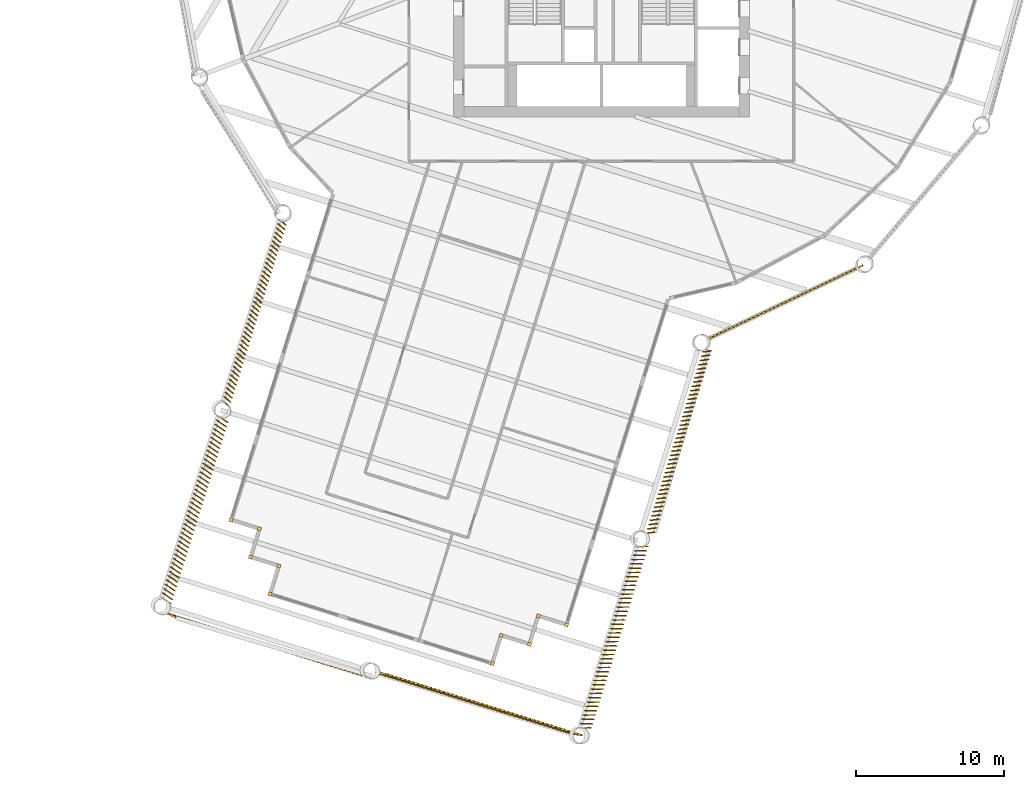
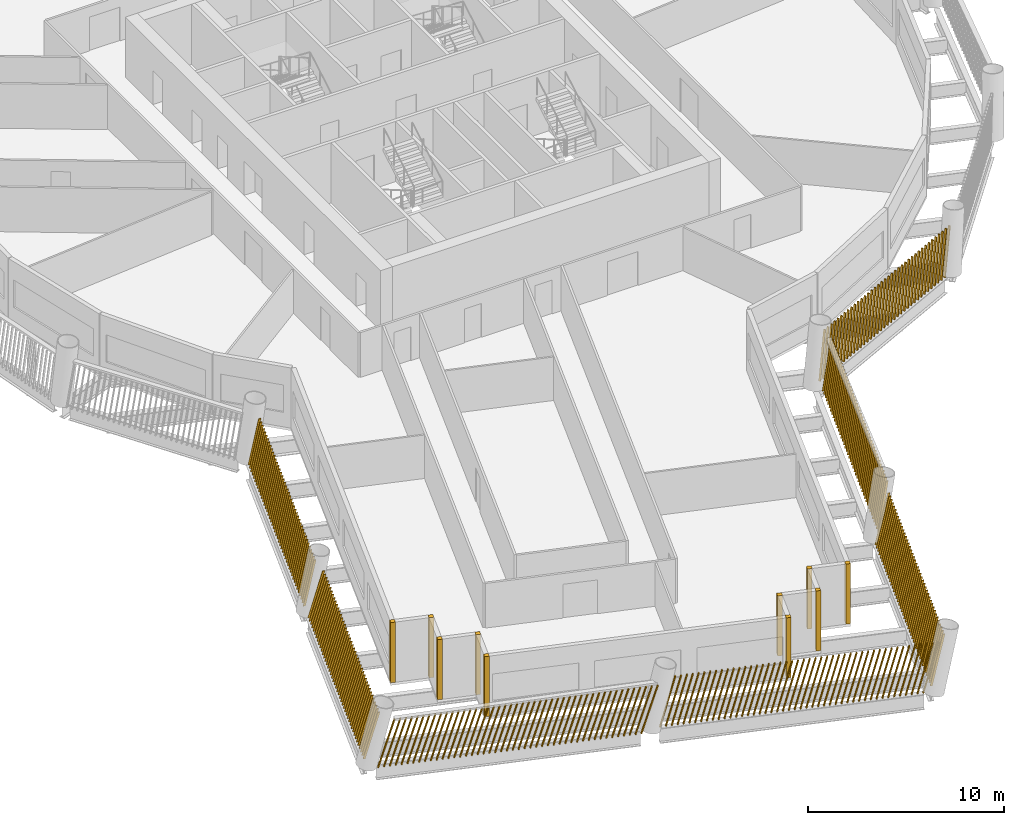
# One storey, part 11 of 15: 17 shading devices.
"""IFC4 building model written with IfcOpenShell, lengths in metres."""

from ifc_helpers import new_model, si_unit, direction, frame, frame_2d, origin, origin_2d, place, context, subcontext, project, spatial, rectangle, composite_profile, extrude, material, type_object, element, save


model = new_model("IFC4")

# Units and contexts
model_context = context("Model", 3, precision=1e-05, world=origin(), true_north=direction((0.0, 1.0)))
body_context = subcontext(model_context, "Body", "Model", "MODEL_VIEW")
ifc_project = project(units=[si_unit("LENGTHUNIT", "METRE"), si_unit("AREAUNIT", "SQUARE_METRE"), si_unit("VOLUMEUNIT", "CUBIC_METRE"), si_unit("PLANEANGLEUNIT", "RADIAN"), si_unit("MASSUNIT", "GRAM", prefix="KILO")], contexts=[model_context])

# Site, building, storey
site_placement = place(None, origin())
site = spatial("IfcSite", under=ifc_project, at=site_placement, CompositionType="ELEMENT")
building_placement = place(site_placement, origin())
building = spatial("IfcBuilding", under=site, at=building_placement, Name="Tarsis Ring Headquarters", CompositionType="ELEMENT")
storey_placement = place(building_placement, frame((0.0, 0.0, 151.5)))
storey = spatial("IfcBuildingStorey", under=building, at=storey_placement, Name="L34", CompositionType="ELEMENT", Elevation=151.5)

# Shading devices
ifc_material = material(Name="Terracotta baguette", Category="masonry")
shading_device_type_1 = type_object("IfcShadingDeviceType", Name="Terracotta baguette screen", PredefinedType="USERDEFINED", material=ifc_material)
shading_device_1_placement = place(storey_placement, frame((-21.733154296875, -19.918212890625, 0.0), z_axis=(0.0, 0.0, 1.0), x_axis=(-0.298370768445, -0.954453422143, 0.0)))
element("IfcShadingDevice", 1, at=shading_device_1_placement, inside=storey, type_object=shading_device_type_1, Name="Baguette screen L34-01", ObjectType="Terracotta baguette screen", PredefinedType="USERDEFINED", context=body_context, shape_type="SweptSolid", body=[
    extrude(composite_profile([rectangle(XDim=0.06005859375, YDim=0.1201171875, at=frame_2d((0.030029296875, 0.0))), rectangle(XDim=0.06005859375, YDim=0.1201171875, at=frame_2d((0.335693359375, 0.0))), rectangle(XDim=0.06005859375, YDim=0.1201171875, at=frame_2d((0.6416015625, 0.0))), rectangle(XDim=0.06005859375, YDim=0.1201171875, at=frame_2d((0.947265625, 0.0))), rectangle(XDim=0.06005859375, YDim=0.1201171875, at=frame_2d((1.253173828125, 0.0))), rectangle(XDim=0.06005859375, YDim=0.1201171875, at=frame_2d((1.558837890625, 0.0))), rectangle(XDim=0.06005859375, YDim=0.1201171875, at=frame_2d((1.864501953125, 0.0))), rectangle(XDim=0.06005859375, YDim=0.1201171875, at=frame_2d((2.17041015625, 0.0))), rectangle(XDim=0.06005859375, YDim=0.1201171875, at=frame_2d((2.47607421875, 0.0))), rectangle(XDim=0.06005859375, YDim=0.1201171875, at=frame_2d((2.781982421875, 0.0))), rectangle(XDim=0.06005859375, YDim=0.1201171875, at=frame_2d((3.087646484375, 0.0))), rectangle(XDim=0.06005859375, YDim=0.1201171875, at=frame_2d((3.393310546875, 0.0))), rectangle(XDim=0.06005859375, YDim=0.1201171875, at=frame_2d((3.69921875, 0.0))), rectangle(XDim=0.06005859375, YDim=0.1201171875, at=frame_2d((4.0048828125, 0.0))), rectangle(XDim=0.06005859375, YDim=0.1201171875, at=frame_2d((4.310791015625, 0.0))), rectangle(XDim=0.06005859375, YDim=0.1201171875, at=frame_2d((4.616455078125, 0.0))), rectangle(XDim=0.06005859375, YDim=0.1201171875, at=frame_2d((4.922119140625, 0.0))), rectangle(XDim=0.06005859375, YDim=0.1201171875, at=frame_2d((5.22802734375, 0.0))), rectangle(XDim=0.06005859375, YDim=0.1201171875, at=frame_2d((5.53369140625, 0.0))), rectangle(XDim=0.06005859375, YDim=0.1201171875, at=frame_2d((5.839599609375, 0.0))), rectangle(XDim=0.06005859375, YDim=0.1201171875, at=frame_2d((6.145263671875, 0.0))), rectangle(XDim=0.06005859375, YDim=0.1201171875, at=frame_2d((6.451171875, 0.0))), rectangle(XDim=0.06005859375, YDim=0.1201171875, at=frame_2d((6.7568359375, 0.0))), rectangle(XDim=0.06005859375, YDim=0.1201171875, at=frame_2d((7.0625, 0.0))), rectangle(XDim=0.06005859375, YDim=0.1201171875, at=frame_2d((7.368408203125, 0.0))), rectangle(XDim=0.06005859375, YDim=0.1201171875, at=frame_2d((7.674072265625, 0.0))), rectangle(XDim=0.06005859375, YDim=0.1201171875, at=frame_2d((7.97998046875, 0.0))), rectangle(XDim=0.06005859375, YDim=0.1201171875, at=frame_2d((8.28564453125, 0.0))), rectangle(XDim=0.06005859375, YDim=0.1201171875, at=frame_2d((8.59130859375, 0.0))), rectangle(XDim=0.06005859375, YDim=0.1201171875, at=frame_2d((8.897216796875, 0.0))), rectangle(XDim=0.06005859375, YDim=0.1201171875, at=frame_2d((9.202880859375, 0.0))), rectangle(XDim=0.06005859375, YDim=0.1201171875, at=frame_2d((9.5087890625, 0.0))), rectangle(XDim=0.06005859375, YDim=0.1201171875, at=frame_2d((9.814453125, 0.0))), rectangle(XDim=0.06005859375, YDim=0.1201171875, at=frame_2d((10.1201171875, 0.0))), rectangle(XDim=0.06005859375, YDim=0.1201171875, at=frame_2d((10.426025390625, 0.0))), rectangle(XDim=0.06005859375, YDim=0.1201171875, at=frame_2d((10.731689453125, 0.0))), rectangle(XDim=0.06005859375, YDim=0.1201171875, at=frame_2d((11.03759765625, 0.0))), rectangle(XDim=0.06005859375, YDim=0.1201171875, at=frame_2d((11.34326171875, 0.0))), rectangle(XDim=0.06005859375, YDim=0.1201171875, at=frame_2d((11.64892578125, 0.0))), rectangle(XDim=0.06005859375, YDim=0.1201171875, at=frame_2d((11.954833984375, 0.0))), rectangle(XDim=0.06005859375, YDim=0.1201171875, at=frame_2d((12.260498046875, 0.0))), rectangle(XDim=0.06005859375, YDim=0.1201171875, at=frame_2d((12.56640625, 0.0))), rectangle(XDim=0.06005859375, YDim=0.1201171875, at=frame_2d((12.8720703125, 0.0)))]), origin(), (0.076142480138, 0.167798947471, 0.982876307551), 3.00146484375),
])
shading_device_2_placement = place(storey_placement, frame((-25.881103515625, -33.187255859375, 0.0), z_axis=(0.0, 0.0, 1.0), x_axis=(-0.298370768445, -0.954453422143, 0.0)))
element("IfcShadingDevice", 2, at=shading_device_2_placement, inside=storey, type_object=shading_device_type_1, Name="Baguette screen L34-02", ObjectType="Terracotta baguette screen", PredefinedType="USERDEFINED", context=body_context, shape_type="SweptSolid", body=[
    extrude(composite_profile([rectangle(XDim=0.06005859375, YDim=0.1201171875, at=frame_2d((0.030029296875, 0.0))), rectangle(XDim=0.06005859375, YDim=0.1201171875, at=frame_2d((0.335693359375, 0.0))), rectangle(XDim=0.06005859375, YDim=0.1201171875, at=frame_2d((0.6416015625, 0.0))), rectangle(XDim=0.06005859375, YDim=0.1201171875, at=frame_2d((0.947265625, 0.0))), rectangle(XDim=0.06005859375, YDim=0.1201171875, at=frame_2d((1.253173828125, 0.0))), rectangle(XDim=0.06005859375, YDim=0.1201171875, at=frame_2d((1.558837890625, 0.0))), rectangle(XDim=0.06005859375, YDim=0.1201171875, at=frame_2d((1.864501953125, 0.0))), rectangle(XDim=0.06005859375, YDim=0.1201171875, at=frame_2d((2.17041015625, 0.0))), rectangle(XDim=0.06005859375, YDim=0.1201171875, at=frame_2d((2.47607421875, 0.0))), rectangle(XDim=0.06005859375, YDim=0.1201171875, at=frame_2d((2.781982421875, 0.0))), rectangle(XDim=0.06005859375, YDim=0.1201171875, at=frame_2d((3.087646484375, 0.0))), rectangle(XDim=0.06005859375, YDim=0.1201171875, at=frame_2d((3.393310546875, 0.0))), rectangle(XDim=0.06005859375, YDim=0.1201171875, at=frame_2d((3.69921875, 0.0))), rectangle(XDim=0.06005859375, YDim=0.1201171875, at=frame_2d((4.0048828125, 0.0))), rectangle(XDim=0.06005859375, YDim=0.1201171875, at=frame_2d((4.310791015625, 0.0))), rectangle(XDim=0.06005859375, YDim=0.1201171875, at=frame_2d((4.616455078125, 0.0))), rectangle(XDim=0.06005859375, YDim=0.1201171875, at=frame_2d((4.922119140625, 0.0))), rectangle(XDim=0.06005859375, YDim=0.1201171875, at=frame_2d((5.22802734375, 0.0))), rectangle(XDim=0.06005859375, YDim=0.1201171875, at=frame_2d((5.53369140625, 0.0))), rectangle(XDim=0.06005859375, YDim=0.1201171875, at=frame_2d((5.839599609375, 0.0))), rectangle(XDim=0.06005859375, YDim=0.1201171875, at=frame_2d((6.145263671875, 0.0))), rectangle(XDim=0.06005859375, YDim=0.1201171875, at=frame_2d((6.451171875, 0.0))), rectangle(XDim=0.06005859375, YDim=0.1201171875, at=frame_2d((6.7568359375, 0.0))), rectangle(XDim=0.06005859375, YDim=0.1201171875, at=frame_2d((7.0625, 0.0))), rectangle(XDim=0.06005859375, YDim=0.1201171875, at=frame_2d((7.368408203125, 0.0))), rectangle(XDim=0.06005859375, YDim=0.1201171875, at=frame_2d((7.674072265625, 0.0))), rectangle(XDim=0.06005859375, YDim=0.1201171875, at=frame_2d((7.97998046875, 0.0))), rectangle(XDim=0.06005859375, YDim=0.1201171875, at=frame_2d((8.28564453125, 0.0))), rectangle(XDim=0.06005859375, YDim=0.1201171875, at=frame_2d((8.59130859375, 0.0))), rectangle(XDim=0.06005859375, YDim=0.1201171875, at=frame_2d((8.897216796875, 0.0))), rectangle(XDim=0.06005859375, YDim=0.1201171875, at=frame_2d((9.202880859375, 0.0))), rectangle(XDim=0.06005859375, YDim=0.1201171875, at=frame_2d((9.5087890625, 0.0))), rectangle(XDim=0.06005859375, YDim=0.1201171875, at=frame_2d((9.814453125, 0.0))), rectangle(XDim=0.06005859375, YDim=0.1201171875, at=frame_2d((10.1201171875, 0.0))), rectangle(XDim=0.06005859375, YDim=0.1201171875, at=frame_2d((10.426025390625, 0.0))), rectangle(XDim=0.06005859375, YDim=0.1201171875, at=frame_2d((10.731689453125, 0.0))), rectangle(XDim=0.06005859375, YDim=0.1201171875, at=frame_2d((11.03759765625, 0.0))), rectangle(XDim=0.06005859375, YDim=0.1201171875, at=frame_2d((11.34326171875, 0.0))), rectangle(XDim=0.06005859375, YDim=0.1201171875, at=frame_2d((11.64892578125, 0.0))), rectangle(XDim=0.06005859375, YDim=0.1201171875, at=frame_2d((11.954833984375, 0.0))), rectangle(XDim=0.06005859375, YDim=0.1201171875, at=frame_2d((12.260498046875, 0.0))), rectangle(XDim=0.06005859375, YDim=0.1201171875, at=frame_2d((12.56640625, 0.0))), rectangle(XDim=0.06005859375, YDim=0.1201171875, at=frame_2d((12.8720703125, 0.0)))]), origin(), (0.074476344107, 0.237069451123, 0.968633754064), 3.04541015625),
])
shading_device_3_placement = place(storey_placement, frame((-29.5146484375, -46.486083984375, 0.0), z_axis=(0.0, 0.0, 1.0), x_axis=(0.954444935869, -0.298363555949, 0.0)))
element("IfcShadingDevice", 3, at=shading_device_3_placement, inside=storey, type_object=shading_device_type_1, Name="Baguette screen L34-03", ObjectType="Terracotta baguette screen", PredefinedType="USERDEFINED", context=body_context, shape_type="SweptSolid", body=[
    extrude(composite_profile([rectangle(XDim=0.06005859375, YDim=0.1201171875, at=frame_2d((0.030029296875, 0.0))), rectangle(XDim=0.06005859375, YDim=0.1201171875, at=frame_2d((0.33544921875, 0.0))), rectangle(XDim=0.06005859375, YDim=0.1201171875, at=frame_2d((0.640625, 0.0))), rectangle(XDim=0.06005859375, YDim=0.1201171875, at=frame_2d((0.946044921875, 0.0))), rectangle(XDim=0.06005859375, YDim=0.1201171875, at=frame_2d((1.25146484375, 0.0))), rectangle(XDim=0.06005859375, YDim=0.1201171875, at=frame_2d((1.556640625, 0.0))), rectangle(XDim=0.06005859375, YDim=0.1201171875, at=frame_2d((1.862060546875, 0.0))), rectangle(XDim=0.06005859375, YDim=0.1201171875, at=frame_2d((2.16748046875, 0.0))), rectangle(XDim=0.06005859375, YDim=0.1201171875, at=frame_2d((2.47265625, 0.0))), rectangle(XDim=0.06005859375, YDim=0.1201171875, at=frame_2d((2.778076171875, 0.0))), rectangle(XDim=0.06005859375, YDim=0.1201171875, at=frame_2d((3.08349609375, 0.0))), rectangle(XDim=0.06005859375, YDim=0.1201171875, at=frame_2d((3.388671875, 0.0))), rectangle(XDim=0.06005859375, YDim=0.1201171875, at=frame_2d((3.694091796875, 0.0))), rectangle(XDim=0.06005859375, YDim=0.1201171875, at=frame_2d((3.99951171875, 0.0))), rectangle(XDim=0.06005859375, YDim=0.1201171875, at=frame_2d((4.3046875, 0.0))), rectangle(XDim=0.06005859375, YDim=0.1201171875, at=frame_2d((4.610107421875, 0.0))), rectangle(XDim=0.06005859375, YDim=0.1201171875, at=frame_2d((4.91552734375, 0.0))), rectangle(XDim=0.06005859375, YDim=0.1201171875, at=frame_2d((5.220703125, 0.0))), rectangle(XDim=0.06005859375, YDim=0.1201171875, at=frame_2d((5.526123046875, 0.0))), rectangle(XDim=0.06005859375, YDim=0.1201171875, at=frame_2d((5.83154296875, 0.0))), rectangle(XDim=0.06005859375, YDim=0.1201171875, at=frame_2d((6.13671875, 0.0))), rectangle(XDim=0.06005859375, YDim=0.1201171875, at=frame_2d((6.442138671875, 0.0))), rectangle(XDim=0.06005859375, YDim=0.1201171875, at=frame_2d((6.74755859375, 0.0))), rectangle(XDim=0.06005859375, YDim=0.1201171875, at=frame_2d((7.052734375, 0.0))), rectangle(XDim=0.06005859375, YDim=0.1201171875, at=frame_2d((7.358154296875, 0.0))), rectangle(XDim=0.06005859375, YDim=0.1201171875, at=frame_2d((7.66357421875, 0.0))), rectangle(XDim=0.06005859375, YDim=0.1201171875, at=frame_2d((7.96875, 0.0))), rectangle(XDim=0.06005859375, YDim=0.1201171875, at=frame_2d((8.274169921875, 0.0))), rectangle(XDim=0.06005859375, YDim=0.1201171875, at=frame_2d((8.57958984375, 0.0))), rectangle(XDim=0.06005859375, YDim=0.1201171875, at=frame_2d((8.884765625, 0.0))), rectangle(XDim=0.06005859375, YDim=0.1201171875, at=frame_2d((9.190185546875, 0.0))), rectangle(XDim=0.06005859375, YDim=0.1201171875, at=frame_2d((9.49560546875, 0.0))), rectangle(XDim=0.06005859375, YDim=0.1201171875, at=frame_2d((9.80078125, 0.0))), rectangle(XDim=0.06005859375, YDim=0.1201171875, at=frame_2d((10.106201171875, 0.0))), rectangle(XDim=0.06005859375, YDim=0.1201171875, at=frame_2d((10.41162109375, 0.0))), rectangle(XDim=0.06005859375, YDim=0.1201171875, at=frame_2d((10.716796875, 0.0))), rectangle(XDim=0.06005859375, YDim=0.1201171875, at=frame_2d((11.022216796875, 0.0))), rectangle(XDim=0.06005859375, YDim=0.1201171875, at=frame_2d((11.32763671875, 0.0))), rectangle(XDim=0.06005859375, YDim=0.1201171875, at=frame_2d((11.6328125, 0.0))), rectangle(XDim=0.06005859375, YDim=0.1201171875, at=frame_2d((11.938232421875, 0.0))), rectangle(XDim=0.06005859375, YDim=0.1201171875, at=frame_2d((12.24365234375, 0.0))), rectangle(XDim=0.06005859375, YDim=0.1201171875, at=frame_2d((12.548828125, 0.0))), rectangle(XDim=0.06005859375, YDim=0.1201171875, at=frame_2d((12.854248046875, 0.0))), rectangle(XDim=0.06005859375, YDim=0.1201171875, at=frame_2d((13.15966796875, 0.0))), rectangle(XDim=0.06005859375, YDim=0.1201171875, at=frame_2d((13.46484375, 0.0))), rectangle(XDim=0.06005859375, YDim=0.1201171875, at=frame_2d((13.770263671875, 0.0)))]), origin(), (0.272525813526, -0.035748593921, 0.961484123111), 3.068115234375),
])
shading_device_4_placement = place(storey_placement, frame((-15.27685546875, -50.544189453125, 0.0), z_axis=(0.0, 0.0, 1.0), x_axis=(0.954444935869, -0.298363555949, 0.0)))
element("IfcShadingDevice", 4, at=shading_device_4_placement, inside=storey, type_object=shading_device_type_1, Name="Baguette screen L34-04", ObjectType="Terracotta baguette screen", PredefinedType="USERDEFINED", context=body_context, shape_type="SweptSolid", body=[
    extrude(composite_profile([rectangle(XDim=0.06005859375, YDim=0.1201171875, at=frame_2d((0.030029296875, 0.0))), rectangle(XDim=0.06005859375, YDim=0.1201171875, at=frame_2d((0.33544921875, 0.0))), rectangle(XDim=0.06005859375, YDim=0.1201171875, at=frame_2d((0.640625, 0.0))), rectangle(XDim=0.06005859375, YDim=0.1201171875, at=frame_2d((0.946044921875, 0.0))), rectangle(XDim=0.06005859375, YDim=0.1201171875, at=frame_2d((1.25146484375, 0.0))), rectangle(XDim=0.06005859375, YDim=0.1201171875, at=frame_2d((1.556640625, 0.0))), rectangle(XDim=0.06005859375, YDim=0.1201171875, at=frame_2d((1.862060546875, 0.0))), rectangle(XDim=0.06005859375, YDim=0.1201171875, at=frame_2d((2.16748046875, 0.0))), rectangle(XDim=0.06005859375, YDim=0.1201171875, at=frame_2d((2.47265625, 0.0))), rectangle(XDim=0.06005859375, YDim=0.1201171875, at=frame_2d((2.778076171875, 0.0))), rectangle(XDim=0.06005859375, YDim=0.1201171875, at=frame_2d((3.08349609375, 0.0))), rectangle(XDim=0.06005859375, YDim=0.1201171875, at=frame_2d((3.388671875, 0.0))), rectangle(XDim=0.06005859375, YDim=0.1201171875, at=frame_2d((3.694091796875, 0.0))), rectangle(XDim=0.06005859375, YDim=0.1201171875, at=frame_2d((3.99951171875, 0.0))), rectangle(XDim=0.06005859375, YDim=0.1201171875, at=frame_2d((4.3046875, 0.0))), rectangle(XDim=0.06005859375, YDim=0.1201171875, at=frame_2d((4.610107421875, 0.0))), rectangle(XDim=0.06005859375, YDim=0.1201171875, at=frame_2d((4.91552734375, 0.0))), rectangle(XDim=0.06005859375, YDim=0.1201171875, at=frame_2d((5.220703125, 0.0))), rectangle(XDim=0.06005859375, YDim=0.1201171875, at=frame_2d((5.526123046875, 0.0))), rectangle(XDim=0.06005859375, YDim=0.1201171875, at=frame_2d((5.83154296875, 0.0))), rectangle(XDim=0.06005859375, YDim=0.1201171875, at=frame_2d((6.13671875, 0.0))), rectangle(XDim=0.06005859375, YDim=0.1201171875, at=frame_2d((6.442138671875, 0.0))), rectangle(XDim=0.06005859375, YDim=0.1201171875, at=frame_2d((6.74755859375, 0.0))), rectangle(XDim=0.06005859375, YDim=0.1201171875, at=frame_2d((7.052734375, 0.0))), rectangle(XDim=0.06005859375, YDim=0.1201171875, at=frame_2d((7.358154296875, 0.0))), rectangle(XDim=0.06005859375, YDim=0.1201171875, at=frame_2d((7.66357421875, 0.0))), rectangle(XDim=0.06005859375, YDim=0.1201171875, at=frame_2d((7.96875, 0.0))), rectangle(XDim=0.06005859375, YDim=0.1201171875, at=frame_2d((8.274169921875, 0.0))), rectangle(XDim=0.06005859375, YDim=0.1201171875, at=frame_2d((8.57958984375, 0.0))), rectangle(XDim=0.06005859375, YDim=0.1201171875, at=frame_2d((8.884765625, 0.0))), rectangle(XDim=0.06005859375, YDim=0.1201171875, at=frame_2d((9.190185546875, 0.0))), rectangle(XDim=0.06005859375, YDim=0.1201171875, at=frame_2d((9.49560546875, 0.0))), rectangle(XDim=0.06005859375, YDim=0.1201171875, at=frame_2d((9.80078125, 0.0))), rectangle(XDim=0.06005859375, YDim=0.1201171875, at=frame_2d((10.106201171875, 0.0))), rectangle(XDim=0.06005859375, YDim=0.1201171875, at=frame_2d((10.41162109375, 0.0))), rectangle(XDim=0.06005859375, YDim=0.1201171875, at=frame_2d((10.716796875, 0.0))), rectangle(XDim=0.06005859375, YDim=0.1201171875, at=frame_2d((11.022216796875, 0.0))), rectangle(XDim=0.06005859375, YDim=0.1201171875, at=frame_2d((11.32763671875, 0.0))), rectangle(XDim=0.06005859375, YDim=0.1201171875, at=frame_2d((11.6328125, 0.0))), rectangle(XDim=0.06005859375, YDim=0.1201171875, at=frame_2d((11.938232421875, 0.0))), rectangle(XDim=0.06005859375, YDim=0.1201171875, at=frame_2d((12.24365234375, 0.0))), rectangle(XDim=0.06005859375, YDim=0.1201171875, at=frame_2d((12.548828125, 0.0))), rectangle(XDim=0.06005859375, YDim=0.1201171875, at=frame_2d((12.854248046875, 0.0))), rectangle(XDim=0.06005859375, YDim=0.1201171875, at=frame_2d((13.15966796875, 0.0))), rectangle(XDim=0.06005859375, YDim=0.1201171875, at=frame_2d((13.46484375, 0.0))), rectangle(XDim=0.06005859375, YDim=0.1201171875, at=frame_2d((13.770263671875, 0.0)))]), origin(), (0.270152313413, 0.040025486016, 0.961985284725), 3.06640625),
])
shading_device_5_placement = place(storey_placement, frame((-1.479248046875, -54.333740234375, 0.0), z_axis=(0.0, 0.0, 1.0), x_axis=(0.298384044808, 0.954454283984, 0.0)))
element("IfcShadingDevice", 5, at=shading_device_5_placement, inside=storey, type_object=shading_device_type_1, Name="Baguette screen L34-05", ObjectType="Terracotta baguette screen", PredefinedType="USERDEFINED", context=body_context, shape_type="SweptSolid", body=[
    extrude(composite_profile([rectangle(XDim=0.06005859375, YDim=0.1201171875, at=frame_2d((0.030029296875, 0.0))), rectangle(XDim=0.06005859375, YDim=0.1201171875, at=frame_2d((0.335693359375, 0.0))), rectangle(XDim=0.06005859375, YDim=0.1201171875, at=frame_2d((0.6416015625, 0.0))), rectangle(XDim=0.06005859375, YDim=0.1201171875, at=frame_2d((0.947265625, 0.0))), rectangle(XDim=0.06005859375, YDim=0.1201171875, at=frame_2d((1.253173828125, 0.0))), rectangle(XDim=0.06005859375, YDim=0.1201171875, at=frame_2d((1.558837890625, 0.0))), rectangle(XDim=0.06005859375, YDim=0.1201171875, at=frame_2d((1.864501953125, 0.0))), rectangle(XDim=0.06005859375, YDim=0.1201171875, at=frame_2d((2.17041015625, 0.0))), rectangle(XDim=0.06005859375, YDim=0.1201171875, at=frame_2d((2.47607421875, 0.0))), rectangle(XDim=0.06005859375, YDim=0.1201171875, at=frame_2d((2.781982421875, 0.0))), rectangle(XDim=0.06005859375, YDim=0.1201171875, at=frame_2d((3.087646484375, 0.0))), rectangle(XDim=0.06005859375, YDim=0.1201171875, at=frame_2d((3.393310546875, 0.0))), rectangle(XDim=0.06005859375, YDim=0.1201171875, at=frame_2d((3.69921875, 0.0))), rectangle(XDim=0.06005859375, YDim=0.1201171875, at=frame_2d((4.0048828125, 0.0))), rectangle(XDim=0.06005859375, YDim=0.1201171875, at=frame_2d((4.310791015625, 0.0))), rectangle(XDim=0.06005859375, YDim=0.1201171875, at=frame_2d((4.616455078125, 0.0))), rectangle(XDim=0.06005859375, YDim=0.1201171875, at=frame_2d((4.922119140625, 0.0))), rectangle(XDim=0.06005859375, YDim=0.1201171875, at=frame_2d((5.22802734375, 0.0))), rectangle(XDim=0.06005859375, YDim=0.1201171875, at=frame_2d((5.53369140625, 0.0))), rectangle(XDim=0.06005859375, YDim=0.1201171875, at=frame_2d((5.839599609375, 0.0))), rectangle(XDim=0.06005859375, YDim=0.1201171875, at=frame_2d((6.145263671875, 0.0))), rectangle(XDim=0.06005859375, YDim=0.1201171875, at=frame_2d((6.451171875, 0.0))), rectangle(XDim=0.06005859375, YDim=0.1201171875, at=frame_2d((6.7568359375, 0.0))), rectangle(XDim=0.06005859375, YDim=0.1201171875, at=frame_2d((7.0625, 0.0))), rectangle(XDim=0.06005859375, YDim=0.1201171875, at=frame_2d((7.368408203125, 0.0))), rectangle(XDim=0.06005859375, YDim=0.1201171875, at=frame_2d((7.674072265625, 0.0))), rectangle(XDim=0.06005859375, YDim=0.1201171875, at=frame_2d((7.97998046875, 0.0))), rectangle(XDim=0.06005859375, YDim=0.1201171875, at=frame_2d((8.28564453125, 0.0))), rectangle(XDim=0.06005859375, YDim=0.1201171875, at=frame_2d((8.59130859375, 0.0))), rectangle(XDim=0.06005859375, YDim=0.1201171875, at=frame_2d((8.897216796875, 0.0))), rectangle(XDim=0.06005859375, YDim=0.1201171875, at=frame_2d((9.202880859375, 0.0))), rectangle(XDim=0.06005859375, YDim=0.1201171875, at=frame_2d((9.5087890625, 0.0))), rectangle(XDim=0.06005859375, YDim=0.1201171875, at=frame_2d((9.814453125, 0.0))), rectangle(XDim=0.06005859375, YDim=0.1201171875, at=frame_2d((10.1201171875, 0.0))), rectangle(XDim=0.06005859375, YDim=0.1201171875, at=frame_2d((10.426025390625, 0.0))), rectangle(XDim=0.06005859375, YDim=0.1201171875, at=frame_2d((10.731689453125, 0.0))), rectangle(XDim=0.06005859375, YDim=0.1201171875, at=frame_2d((11.03759765625, 0.0))), rectangle(XDim=0.06005859375, YDim=0.1201171875, at=frame_2d((11.34326171875, 0.0))), rectangle(XDim=0.06005859375, YDim=0.1201171875, at=frame_2d((11.64892578125, 0.0))), rectangle(XDim=0.06005859375, YDim=0.1201171875, at=frame_2d((11.954833984375, 0.0))), rectangle(XDim=0.06005859375, YDim=0.1201171875, at=frame_2d((12.260498046875, 0.0))), rectangle(XDim=0.06005859375, YDim=0.1201171875, at=frame_2d((12.56640625, 0.0))), rectangle(XDim=0.06005859375, YDim=0.1201171875, at=frame_2d((12.8720703125, 0.0)))]), origin(), (0.07819185412, -0.235871342319, 0.968633441412), 3.04541015625),
])
shading_device_6_placement = place(storey_placement, frame((3.02685546875, -41.176513671875, 0.0), z_axis=(0.0, 0.0, 1.0), x_axis=(0.298370768445, 0.954453422143, 0.0)))
element("IfcShadingDevice", 6, at=shading_device_6_placement, inside=storey, type_object=shading_device_type_1, Name="Baguette screen L34-06", ObjectType="Terracotta baguette screen", PredefinedType="USERDEFINED", context=body_context, shape_type="SweptSolid", body=[
    extrude(composite_profile([rectangle(XDim=0.06005859375, YDim=0.1201171875, at=frame_2d((0.030029296875, 0.0))), rectangle(XDim=0.06005859375, YDim=0.1201171875, at=frame_2d((0.335693359375, 0.0))), rectangle(XDim=0.06005859375, YDim=0.1201171875, at=frame_2d((0.6416015625, 0.0))), rectangle(XDim=0.06005859375, YDim=0.1201171875, at=frame_2d((0.947265625, 0.0))), rectangle(XDim=0.06005859375, YDim=0.1201171875, at=frame_2d((1.253173828125, 0.0))), rectangle(XDim=0.06005859375, YDim=0.1201171875, at=frame_2d((1.558837890625, 0.0))), rectangle(XDim=0.06005859375, YDim=0.1201171875, at=frame_2d((1.864501953125, 0.0))), rectangle(XDim=0.06005859375, YDim=0.1201171875, at=frame_2d((2.17041015625, 0.0))), rectangle(XDim=0.06005859375, YDim=0.1201171875, at=frame_2d((2.47607421875, 0.0))), rectangle(XDim=0.06005859375, YDim=0.1201171875, at=frame_2d((2.781982421875, 0.0))), rectangle(XDim=0.06005859375, YDim=0.1201171875, at=frame_2d((3.087646484375, 0.0))), rectangle(XDim=0.06005859375, YDim=0.1201171875, at=frame_2d((3.393310546875, 0.0))), rectangle(XDim=0.06005859375, YDim=0.1201171875, at=frame_2d((3.69921875, 0.0))), rectangle(XDim=0.06005859375, YDim=0.1201171875, at=frame_2d((4.0048828125, 0.0))), rectangle(XDim=0.06005859375, YDim=0.1201171875, at=frame_2d((4.310791015625, 0.0))), rectangle(XDim=0.06005859375, YDim=0.1201171875, at=frame_2d((4.616455078125, 0.0))), rectangle(XDim=0.06005859375, YDim=0.1201171875, at=frame_2d((4.922119140625, 0.0))), rectangle(XDim=0.06005859375, YDim=0.1201171875, at=frame_2d((5.22802734375, 0.0))), rectangle(XDim=0.06005859375, YDim=0.1201171875, at=frame_2d((5.53369140625, 0.0))), rectangle(XDim=0.06005859375, YDim=0.1201171875, at=frame_2d((5.839599609375, 0.0))), rectangle(XDim=0.06005859375, YDim=0.1201171875, at=frame_2d((6.145263671875, 0.0))), rectangle(XDim=0.06005859375, YDim=0.1201171875, at=frame_2d((6.451171875, 0.0))), rectangle(XDim=0.06005859375, YDim=0.1201171875, at=frame_2d((6.7568359375, 0.0))), rectangle(XDim=0.06005859375, YDim=0.1201171875, at=frame_2d((7.0625, 0.0))), rectangle(XDim=0.06005859375, YDim=0.1201171875, at=frame_2d((7.368408203125, 0.0))), rectangle(XDim=0.06005859375, YDim=0.1201171875, at=frame_2d((7.674072265625, 0.0))), rectangle(XDim=0.06005859375, YDim=0.1201171875, at=frame_2d((7.97998046875, 0.0))), rectangle(XDim=0.06005859375, YDim=0.1201171875, at=frame_2d((8.28564453125, 0.0))), rectangle(XDim=0.06005859375, YDim=0.1201171875, at=frame_2d((8.59130859375, 0.0))), rectangle(XDim=0.06005859375, YDim=0.1201171875, at=frame_2d((8.897216796875, 0.0))), rectangle(XDim=0.06005859375, YDim=0.1201171875, at=frame_2d((9.202880859375, 0.0))), rectangle(XDim=0.06005859375, YDim=0.1201171875, at=frame_2d((9.5087890625, 0.0))), rectangle(XDim=0.06005859375, YDim=0.1201171875, at=frame_2d((9.814453125, 0.0))), rectangle(XDim=0.06005859375, YDim=0.1201171875, at=frame_2d((10.1201171875, 0.0))), rectangle(XDim=0.06005859375, YDim=0.1201171875, at=frame_2d((10.426025390625, 0.0))), rectangle(XDim=0.06005859375, YDim=0.1201171875, at=frame_2d((10.731689453125, 0.0))), rectangle(XDim=0.06005859375, YDim=0.1201171875, at=frame_2d((11.03759765625, 0.0))), rectangle(XDim=0.06005859375, YDim=0.1201171875, at=frame_2d((11.34326171875, 0.0))), rectangle(XDim=0.06005859375, YDim=0.1201171875, at=frame_2d((11.64892578125, 0.0))), rectangle(XDim=0.06005859375, YDim=0.1201171875, at=frame_2d((11.954833984375, 0.0))), rectangle(XDim=0.06005859375, YDim=0.1201171875, at=frame_2d((12.260498046875, 0.0))), rectangle(XDim=0.06005859375, YDim=0.1201171875, at=frame_2d((12.56640625, 0.0))), rectangle(XDim=0.06005859375, YDim=0.1201171875, at=frame_2d((12.8720703125, 0.0)))]), origin(), (0.080717352731, -0.166541962832, 0.982725029489), 3.001708984375),
])
shading_device_7_placement = place(storey_placement, frame((7.119384765625, -28.05810546875, 0.0), z_axis=(0.0, 0.0, 1.0), x_axis=(0.903027672273, 0.42958220293, 0.0)))
element("IfcShadingDevice", 7, at=shading_device_7_placement, inside=storey, type_object=shading_device_type_1, Name="Baguette screen L34-07", ObjectType="Terracotta baguette screen", PredefinedType="USERDEFINED", context=body_context, shape_type="SweptSolid", body=[
    extrude(composite_profile([rectangle(XDim=0.06005859375, YDim=0.1201171875, at=frame_2d((0.030029296875, 0.0))), rectangle(XDim=0.06005859375, YDim=0.1201171875, at=frame_2d((0.33251953125, 0.0))), rectangle(XDim=0.06005859375, YDim=0.1201171875, at=frame_2d((0.634765625, 0.0))), rectangle(XDim=0.06005859375, YDim=0.1201171875, at=frame_2d((0.937255859375, 0.0))), rectangle(XDim=0.06005859375, YDim=0.1201171875, at=frame_2d((1.239501953125, 0.0))), rectangle(XDim=0.06005859375, YDim=0.1201171875, at=frame_2d((1.5419921875, 0.0))), rectangle(XDim=0.06005859375, YDim=0.1201171875, at=frame_2d((1.844482421875, 0.0))), rectangle(XDim=0.06005859375, YDim=0.1201171875, at=frame_2d((2.146728515625, 0.0))), rectangle(XDim=0.06005859375, YDim=0.1201171875, at=frame_2d((2.44921875, 0.0))), rectangle(XDim=0.06005859375, YDim=0.1201171875, at=frame_2d((2.751708984375, 0.0))), rectangle(XDim=0.06005859375, YDim=0.1201171875, at=frame_2d((3.053955078125, 0.0))), rectangle(XDim=0.06005859375, YDim=0.1201171875, at=frame_2d((3.3564453125, 0.0))), rectangle(XDim=0.06005859375, YDim=0.1201171875, at=frame_2d((3.65869140625, 0.0))), rectangle(XDim=0.06005859375, YDim=0.1201171875, at=frame_2d((3.961181640625, 0.0))), rectangle(XDim=0.06005859375, YDim=0.1201171875, at=frame_2d((4.263671875, 0.0))), rectangle(XDim=0.06005859375, YDim=0.1201171875, at=frame_2d((4.56591796875, 0.0))), rectangle(XDim=0.06005859375, YDim=0.1201171875, at=frame_2d((4.868408203125, 0.0))), rectangle(XDim=0.06005859375, YDim=0.1201171875, at=frame_2d((5.1708984375, 0.0))), rectangle(XDim=0.06005859375, YDim=0.1201171875, at=frame_2d((5.47314453125, 0.0))), rectangle(XDim=0.06005859375, YDim=0.1201171875, at=frame_2d((5.775634765625, 0.0))), rectangle(XDim=0.06005859375, YDim=0.1201171875, at=frame_2d((6.077880859375, 0.0))), rectangle(XDim=0.06005859375, YDim=0.1201171875, at=frame_2d((6.38037109375, 0.0))), rectangle(XDim=0.06005859375, YDim=0.1201171875, at=frame_2d((6.682861328125, 0.0))), rectangle(XDim=0.06005859375, YDim=0.1201171875, at=frame_2d((6.985107421875, 0.0))), rectangle(XDim=0.06005859375, YDim=0.1201171875, at=frame_2d((7.28759765625, 0.0))), rectangle(XDim=0.06005859375, YDim=0.1201171875, at=frame_2d((7.590087890625, 0.0))), rectangle(XDim=0.06005859375, YDim=0.1201171875, at=frame_2d((7.892333984375, 0.0))), rectangle(XDim=0.06005859375, YDim=0.1201171875, at=frame_2d((8.19482421875, 0.0))), rectangle(XDim=0.06005859375, YDim=0.1201171875, at=frame_2d((8.4970703125, 0.0))), rectangle(XDim=0.06005859375, YDim=0.1201171875, at=frame_2d((8.799560546875, 0.0))), rectangle(XDim=0.06005859375, YDim=0.1201171875, at=frame_2d((9.10205078125, 0.0))), rectangle(XDim=0.06005859375, YDim=0.1201171875, at=frame_2d((9.404296875, 0.0))), rectangle(XDim=0.06005859375, YDim=0.1201171875, at=frame_2d((9.706787109375, 0.0))), rectangle(XDim=0.06005859375, YDim=0.1201171875, at=frame_2d((10.00927734375, 0.0))), rectangle(XDim=0.06005859375, YDim=0.1201171875, at=frame_2d((10.3115234375, 0.0))), rectangle(XDim=0.06005859375, YDim=0.1201171875, at=frame_2d((10.614013671875, 0.0))), rectangle(XDim=0.06005859375, YDim=0.1201171875, at=frame_2d((10.916259765625, 0.0))), rectangle(XDim=0.06005859375, YDim=0.1201171875, at=frame_2d((11.21875, 0.0)))]), origin(), (0.149495795166, 0.001174635884, 0.988761663627), 2.9833984375),
])
shading_device_type_2 = type_object("IfcShadingDeviceType", Name="Terracotta corner baguette 250x250", PredefinedType="USERDEFINED", material=ifc_material)
for number, where, z_axis, x_axis, name in (
    (8, (-25.02197265625, -40.2421875, 0.0), (0.0, 0.0, 1.0), (-0.298374517354, -0.954448871021, 0.0), "Corner baguette L34-07"),
    (9, (-23.113037109375, -40.8388671875, 0.0), (0.0, 0.0, 1.0), (0.954448886644, -0.298374467379, 0.0), "Corner baguette L34-08"),
    (10, (-23.7099609375, -42.747802734375, 0.0), (0.0, 0.0, 1.0), (-0.298374467379, -0.954448886644, 0.0), "Corner baguette L34-09"),
    (11, (-21.801025390625, -43.344482421875, 0.0), (0.0, 0.0, 1.0), (0.954448844983, -0.298374600645, 0.0), "Corner baguette L34-10"),
    (12, (-22.397705078125, -45.25341796875, 0.0), (0.0, 0.0, 1.0), (-0.298374467379, -0.954448886644, 0.0), "Corner baguette L34-11"),
    (13, (-7.365234375, -49.952880859375, 0.0), (0.0, 0.0, 1.0), (0.954448876229, -0.298374500696, 0.0), "Corner baguette L34-12"),
    (14, (-6.768310546875, -48.0439453125, 0.0), (0.0, 0.0, 1.0), (0.298374600645, 0.954448844983, 0.0), "Corner baguette L34-13"),
    (15, (-4.859619140625, -48.640625, 0.0), (0.0, 0.0, 1.0), (0.954448886644, -0.298374467379, 0.0), "Corner baguette L34-14"),
    (16, (-4.2626953125, -46.731689453125, 0.0), (0.0, 0.0, 1.0), (0.298374467379, 0.954448886644, 0.0), "Corner baguette L34-15"),
    (17, (-2.353759765625, -47.32861328125, 0.0), (0.0, 0.0, 1.0), (0.954448886644, -0.298374467379, 0.0), "Corner baguette L34-16"),
):
    element("IfcShadingDevice", number, at=place(storey_placement, frame(where, z_axis=z_axis, x_axis=x_axis)), inside=storey, type_object=shading_device_type_2, Name=name, ObjectType="Terracotta corner baguette", PredefinedType="USERDEFINED", context=body_context, shape_type="SweptSolid", body=[
        extrude(rectangle(XDim=0.25, YDim=0.25, at=origin_2d()), origin(), (0.0, 0.0, 1.0), 3.739990234375),
    ])

save(model, "model.ifc")
